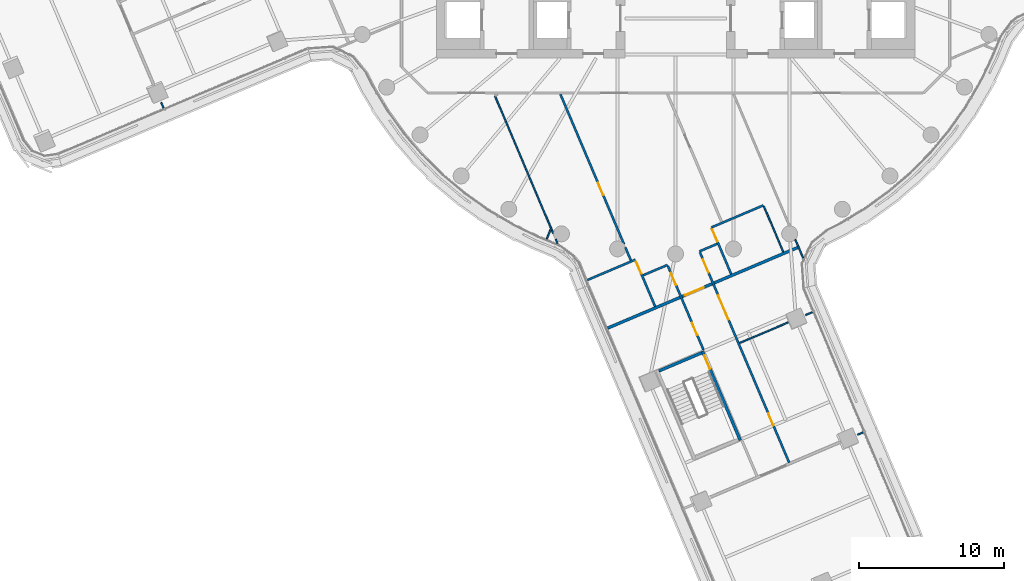
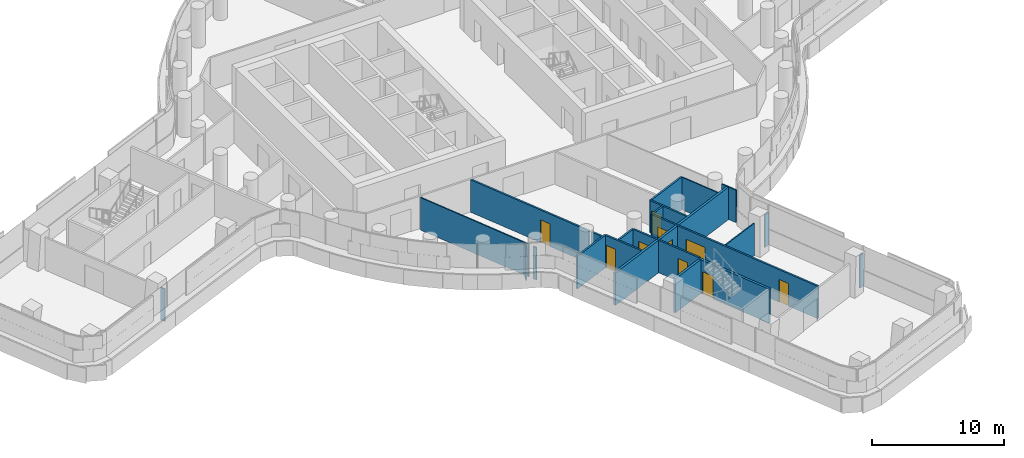
# One storey, part 21 of 35: 22 walls, 10 doors, 10 openings.
"""IFC4 building model written with IfcOpenShell, lengths in metres."""

from ifc_helpers import new_model, si_unit, direction, frame, frame_2d, origin, place, context, subcontext, project, spatial, rectangle, extrude, material, layer, layer_set, type_object, element, fill, save


model = new_model("IFC4")

# Units and contexts
model_context = context("Model", 3, precision=1e-05, world=origin(), true_north=direction((0.0, 1.0)))
body_context = subcontext(model_context, "Body", "Model", "MODEL_VIEW")
ifc_project = project(units=[si_unit("LENGTHUNIT", "METRE"), si_unit("AREAUNIT", "SQUARE_METRE"), si_unit("VOLUMEUNIT", "CUBIC_METRE"), si_unit("PLANEANGLEUNIT", "RADIAN"), si_unit("MASSUNIT", "GRAM", prefix="KILO")], contexts=[model_context])

# Site, building, storey
site_placement = place(None, origin())
site = spatial("IfcSite", under=ifc_project, at=site_placement, CompositionType="ELEMENT")
building_placement = place(site_placement, origin())
building = spatial("IfcBuilding", under=site, at=building_placement, Name="Tamarind Cross Interchange Tower", CompositionType="ELEMENT")
storey_placement = place(building_placement, frame((0.0, 0.0, 117.25)))
storey = spatial("IfcBuildingStorey", under=building, at=storey_placement, Name="L28", CompositionType="ELEMENT", Elevation=117.25)

# Walls
ifc_material_1 = material(Name="Gypsum board partition on steel studs", Category="steel")
ifc_layer_1 = layer(ifc_material_1, 0.10009765625)
ifc_layer_set_1 = layer_set([ifc_layer_1], Name="Gypsum board partition on steel studs")
wall_type_1 = type_object("IfcWallType", Name="Partition 100 mm EI 90", PredefinedType="PARTITIONING", material=ifc_layer_set_1)
wall_1_placement = place(storey_placement, frame((-35.465087890625, -12.55859375, 0.0), z_axis=(0.0, 0.0, 1.0), x_axis=(0.390243347733, -0.920711751609, 0.0)))
element("IfcWall", 1, at=wall_1_placement, inside=storey, type_object=wall_type_1, Name="Partition L28-003", PredefinedType="PARTITIONING", context=body_context, shape_type="SweptSolid", body=[
    extrude(rectangle(XDim=0.4091796875, YDim=0.10009765625, at=frame_2d((0.20458984375, 0.0))), origin(), (0.0, 0.0, 1.0), 3.010009765625),
])
wall_2_placement = place(storey_placement, frame((-12.444580078125, -12.125, 0.0), z_axis=(0.0, 0.0, 1.0), x_axis=(0.390522443432, -0.920593407089, 0.0)))
element("IfcWall", 2, at=wall_2_placement, inside=storey, type_object=wall_type_1, Name="Partition L28-005", PredefinedType="PARTITIONING", context=body_context, shape_type="SweptSolid", body=[
    extrude(rectangle(XDim=10.2958984375, YDim=0.10009765625, at=frame_2d((5.14794921875, 0.0))), origin(), (0.0, 0.0, 1.0), 3.010009765625),
])
wall_3_placement = place(storey_placement, frame((-8.263671875, -21.980712890625, 0.0), z_axis=(0.0, 0.0, 1.0), x_axis=(0.390412497886, -0.920640039046, 0.0)))
element("IfcWall", 3, at=wall_3_placement, inside=storey, type_object=wall_type_1, Name="Partition L28-006", PredefinedType="PARTITIONING", context=body_context, shape_type="SweptSolid", body=[
    extrude(rectangle(XDim=0.319580078125, YDim=0.10009765625, at=frame_2d((0.15966796875, 0.0))), origin(), (0.0, 0.0, 1.0), 3.010009765625),
])
wall_4_placement = place(storey_placement, frame((8.251953125, -21.992431640625, 0.0), z_axis=(0.0, 0.0, 1.0), x_axis=(0.390522765708, -0.920593270377, 0.0)))
element("IfcWall", 4, at=wall_4_placement, inside=storey, type_object=wall_type_1, Name="Partition L28-025", PredefinedType="PARTITIONING", context=body_context, shape_type="SweptSolid", body=[
    extrude(rectangle(XDim=1.38916015625, YDim=0.10009765625, at=frame_2d((0.694580078125, 0.0))), origin(), (0.0, 0.0, 1.0), 3.010009765625),
])
wall_5_placement = place(storey_placement, frame((6.09130859375, -19.715087890625, 0.0), z_axis=(0.0, 0.0, 1.0), x_axis=(0.390573680368, -0.920571670324, 0.0)))
element("IfcWall", 5, at=wall_5_placement, inside=storey, type_object=wall_type_1, Name="Partition L28-026", PredefinedType="PARTITIONING", context=body_context, shape_type="SweptSolid", body=[
    extrude(rectangle(XDim=3.419921875, YDim=0.10009765625, at=frame_2d((1.7099609375, 0.0))), origin(), (0.0, 0.0, 1.0), 3.010009765625),
])
wall_6_placement = place(storey_placement, frame((12.55859375, -35.465087890625, 0.0), z_axis=(0.0, 0.0, 1.0), x_axis=(0.920711751609, 0.390243347733, 0.0)))
element("IfcWall", 6, at=wall_6_placement, inside=storey, type_object=wall_type_1, Name="Partition L28-068", PredefinedType="PARTITIONING", context=body_context, shape_type="SweptSolid", body=[
    extrude(rectangle(XDim=0.4091796875, YDim=0.10009765625, at=frame_2d((0.20458984375, 0.0))), origin(), (0.0, 0.0, 1.0), 3.010009765625),
])
wall_7_placement = place(storey_placement, frame((4.419677734375, -29.140869140625, 0.0), z_axis=(0.0, 0.0, 1.0), x_axis=(0.920601541883, 0.390503266416, 0.0)))
element("IfcWall", 7, at=wall_7_placement, inside=storey, type_object=wall_type_1, Name="Partition L28-069", PredefinedType="PARTITIONING", context=body_context, shape_type="SweptSolid", body=[
    extrude(rectangle(XDim=3.63427734375, YDim=0.10009765625, at=frame_2d((1.817138671875, 0.0))), origin(), (0.0, 0.0, 1.0), 3.010009765625),
])
wall_8_placement = place(storey_placement, frame((8.96875, -27.211181640625, 0.0), z_axis=(0.0, 0.0, 1.0), x_axis=(0.920660619586, 0.390363962917, 0.0)))
element("IfcWall", 8, at=wall_8_placement, inside=storey, type_object=wall_type_1, Name="Partition L28-070", PredefinedType="PARTITIONING", context=body_context, shape_type="SweptSolid", body=[
    extrude(rectangle(XDim=0.505859375, YDim=0.10009765625, at=frame_2d((0.2529296875, 0.0))), origin(), (0.0, 0.0, 1.0), 3.010009765625),
])
wall_9_placement = place(storey_placement, frame((-8.881591796875, -21.9658203125, 0.0), z_axis=(0.0, 0.0, 1.0), x_axis=(0.375077906677, 0.926993292275, 0.0)))
element("IfcWall", 9, at=wall_9_placement, inside=storey, type_object=wall_type_1, Name="Partition L28-085", PredefinedType="PARTITIONING", context=body_context, shape_type="SweptSolid", body=[
    extrude(rectangle(XDim=0.69580078125, YDim=0.10009765625, at=frame_2d((0.347900390625, 0.0))), origin(), (0.0, 0.0, 1.0), 3.010009765625),
])

# Wall, opening, door
ifc_layer_2 = layer(ifc_material_1, 0.14990234375)
ifc_layer_set_2 = layer_set([ifc_layer_2], Name="Gypsum board partition on steel studs")
wall_type_2 = type_object("IfcWallType", Name="Partition 150 mm EI 120", PredefinedType="PARTITIONING", material=ifc_layer_set_2)
wall_10_placement = place(storey_placement, frame((-7.93994140625, -11.987548828125, 0.0), z_axis=(0.0, 0.0, 1.0), x_axis=(0.390462727609, -0.920618736692, 0.0)))
wall_10 = element("IfcWall", 10, at=wall_10_placement, inside=storey, type_object=wall_type_2, Name="Partition L28-010", PredefinedType="PARTITIONING", context=body_context, shape_type="SweptSolid", body=[
    extrude(rectangle(XDim=11.22705078125, YDim=0.14990234375, at=frame_2d((5.613525390625, 0.0))), origin(), (0.0, 0.0, 1.0), 3.010009765625),
])
opening_1_placement = place(wall_10_placement, frame((6.655029296875, 0.0, 0.0)))
opening_1 = element("IfcOpeningElement", 11, at=opening_1_placement, cuts=wall_10, Name="Opening D07", PredefinedType="OPENING", context=body_context, shape_type="SweptSolid", body=[
    extrude(rectangle(XDim=0.89990234375, YDim=2.10009765625, at=frame_2d((0.449951171875, 1.050048828125))), frame((0.0, 0.0849609375, 0.0), z_axis=(0.0, -1.0, 0.0), x_axis=(1.0, 0.0, 0.0)), (0.0, 0.0, 1.0), 0.169921875),
])
ifc_material_2 = material(Name="Fire-resisting door set")
door_type_1 = type_object("IfcDoorType", Name="Interior door 900 x 2100 FD60S", OperationType="SINGLE_SWING_LEFT", PredefinedType="DOOR", material=ifc_material_2)
door_1_placement = place(opening_1_placement, frame((0.89990234375, 0.0, 0.0), z_axis=(0.0, 0.0, 1.0), x_axis=(-1.0, 0.0, 0.0)))
door_1 = element("IfcDoor", 12, at=door_1_placement, inside=storey, type_object=door_type_1, Name="Door D07", OperationType="SINGLE_SWING_RIGHT", OverallHeight=2.10009765625, OverallWidth=0.89990234375, PredefinedType="DOOR", context=body_context, shape_type="SweptSolid", body=[
    extrude(rectangle(XDim=0.89990234375, YDim=2.10009765625, at=frame_2d((0.449951171875, 1.050048828125))), frame((0.0, 0.02490234375, 0.0), z_axis=(0.0, -1.0, 0.0), x_axis=(1.0, 0.0, 0.0)), (0.0, 0.0, 1.0), 0.050048828125),
])
fill(opening_1, door_1)

# Wall
wall_11_placement = place(storey_placement, frame((-3.46240234375, -22.544677734375, 0.0), z_axis=(0.0, 0.0, 1.0), x_axis=(0.390504875404, -0.920600859377, 0.0)))
element("IfcWall", 13, at=wall_11_placement, inside=storey, type_object=wall_type_2, Name="Partition L28-011", PredefinedType="PARTITIONING", context=body_context, shape_type="SweptSolid", body=[
    extrude(rectangle(XDim=0.975830078125, YDim=0.14990234375, at=frame_2d((0.48779296875, 0.0))), origin(), (0.0, 0.0, 1.0), 3.010009765625),
])

# Wall, opening, door
wall_12_placement = place(storey_placement, frame((-2.74658203125, -23.464111328125, 0.0), z_axis=(0.0, 0.0, 1.0), x_axis=(0.390509570778, -0.920598867657, 0.0)))
wall_12 = element("IfcWall", 14, at=wall_12_placement, inside=storey, type_object=wall_type_2, Name="Partition L28-016", PredefinedType="PARTITIONING", context=body_context, shape_type="SweptSolid", body=[
    extrude(rectangle(XDim=3.4248046875, YDim=0.14990234375, at=frame_2d((1.71240234375, 0.0))), origin(), (0.0, 0.0, 1.0), 3.010009765625),
])
opening_2_placement = place(wall_12_placement, frame((0.074951171875, 0.0, 0.0)))
opening_2 = element("IfcOpeningElement", 15, at=opening_2_placement, cuts=wall_12, Name="Opening D11", PredefinedType="OPENING", context=body_context, shape_type="SweptSolid", body=[
    extrude(rectangle(XDim=0.89990234375, YDim=2.10009765625, at=frame_2d((0.449951171875, 1.050048828125))), frame((0.0, 0.0849609375, 0.0), z_axis=(0.0, -1.0, 0.0), x_axis=(1.0, 0.0, 0.0)), (0.0, 0.0, 1.0), 0.169921875),
])
door_2_placement = place(opening_2_placement, frame((0.89990234375, 0.0, 0.0), z_axis=(0.0, 0.0, 1.0), x_axis=(-1.0, 0.0, 0.0)))
door_2 = element("IfcDoor", 16, at=door_2_placement, inside=storey, type_object=door_type_1, Name="Door D11", OperationType="SINGLE_SWING_LEFT", OverallHeight=2.10009765625, OverallWidth=0.89990234375, PredefinedType="DOOR", context=body_context, shape_type="SweptSolid", body=[
    extrude(rectangle(XDim=0.89990234375, YDim=2.10009765625, at=frame_2d((0.449951171875, 1.050048828125))), frame((0.0, 0.02490234375, 0.0), z_axis=(0.0, -1.0, 0.0), x_axis=(1.0, 0.0, 0.0)), (0.0, 0.0, 1.0), 0.050048828125),
])
fill(opening_2, door_2)

# Wall, openings, doors
wall_13_placement = place(storey_placement, frame((-0.52880859375, -23.826171875, 0.0), z_axis=(0.0, 0.0, 1.0), x_axis=(0.390377283155, -0.920654971635, 0.0)))
wall_13 = element("IfcWall", 17, at=wall_13_placement, inside=storey, type_object=wall_type_2, Name="Partition L28-018", PredefinedType="PARTITIONING", context=body_context, shape_type="SweptSolid", body=[
    extrude(rectangle(XDim=6.285888671875, YDim=0.14990234375, at=frame_2d((3.14306640625, 0.0))), origin(), (0.0, 0.0, 1.0), 3.010009765625),
])
opening_3_placement = place(wall_13_placement, frame((0.52490234375, 0.0, 0.0)))
opening_3 = element("IfcOpeningElement", 18, at=opening_3_placement, cuts=wall_13, Name="Opening D13", PredefinedType="OPENING", context=body_context, shape_type="SweptSolid", body=[
    extrude(rectangle(XDim=0.89990234375, YDim=2.10009765625, at=frame_2d((0.449951171875, 1.050048828125))), frame((0.0, 0.0849609375, 0.0), z_axis=(0.0, -1.0, 0.0), x_axis=(1.0, 0.0, 0.0)), (0.0, 0.0, 1.0), 0.169921875),
])
opening_4_placement = place(wall_13_placement, frame((4.275390625, 0.0, 0.0)))
opening_4 = element("IfcOpeningElement", 19, at=opening_4_placement, cuts=wall_13, Name="Opening D14", PredefinedType="OPENING", context=body_context, shape_type="SweptSolid", body=[
    extrude(rectangle(XDim=0.89990234375, YDim=2.10009765625, at=frame_2d((0.449951171875, 1.050048828125))), frame((0.0, 0.0849609375, 0.0), z_axis=(0.0, -1.0, 0.0), x_axis=(1.0, 0.0, 0.0)), (0.0, 0.0, 1.0), 0.169921875),
])
door_3_placement = place(opening_3_placement, frame((0.89990234375, 0.0, 0.0), z_axis=(0.0, 0.0, 1.0), x_axis=(-1.0, 0.0, 0.0)))
door_3 = element("IfcDoor", 20, at=door_3_placement, inside=storey, type_object=door_type_1, Name="Door D13", OperationType="SINGLE_SWING_LEFT", OverallHeight=2.10009765625, OverallWidth=0.89990234375, PredefinedType="DOOR", context=body_context, shape_type="SweptSolid", body=[
    extrude(rectangle(XDim=0.89990234375, YDim=2.10009765625, at=frame_2d((0.449951171875, 1.050048828125))), frame((0.0, 0.02490234375, 0.0), z_axis=(0.0, -1.0, 0.0), x_axis=(1.0, 0.0, 0.0)), (0.0, 0.0, 1.0), 0.050048828125),
])
fill(opening_3, door_3)
door_4_placement = place(opening_4_placement, frame((0.89990234375, 0.0, 0.0), z_axis=(0.0, 0.0, 1.0), x_axis=(-1.0, 0.0, 0.0)))
door_4 = element("IfcDoor", 21, at=door_4_placement, inside=storey, type_object=door_type_1, Name="Door D14", OperationType="SINGLE_SWING_RIGHT", OverallHeight=2.10009765625, OverallWidth=0.89990234375, PredefinedType="DOOR", context=body_context, shape_type="SweptSolid", body=[
    extrude(rectangle(XDim=0.89990234375, YDim=2.10009765625, at=frame_2d((0.449951171875, 1.050048828125))), frame((0.0, 0.02490234375, 0.0), z_axis=(0.0, -1.0, 0.0), x_axis=(1.0, 0.0, 0.0)), (0.0, 0.0, 1.0), 0.050048828125),
])
fill(opening_4, door_4)

wall_14_placement = place(storey_placement, frame((1.680419921875, -22.888916015625, 0.0), z_axis=(0.0, 0.0, 1.0), x_axis=(0.390687971065, -0.920523171498, 0.0)))
wall_14 = element("IfcWall", 22, at=wall_14_placement, inside=storey, type_object=wall_type_2, Name="Partition L28-022", PredefinedType="PARTITIONING", context=body_context, shape_type="SweptSolid", body=[
    extrude(rectangle(XDim=15.75048828125, YDim=0.14990234375, at=frame_2d((7.875244140625, 0.0))), origin(), (0.0, 0.0, 1.0), 3.010009765625),
])
opening_5_placement = place(wall_14_placement, frame((0.52490234375, 0.0, 0.0)))
opening_5 = element("IfcOpeningElement", 23, at=opening_5_placement, cuts=wall_14, Name="Opening D16", PredefinedType="OPENING", context=body_context, shape_type="SweptSolid", body=[
    extrude(rectangle(XDim=1.0, YDim=2.10009765625, at=frame_2d((0.5, 1.050048828125))), frame((0.0, 0.0849609375, 0.0), z_axis=(0.0, -1.0, 0.0), x_axis=(1.0, 0.0, 0.0)), (0.0, 0.0, 1.0), 0.169921875),
])
opening_6_placement = place(wall_14_placement, frame((12.0751953125, 0.0, 0.0)))
opening_6 = element("IfcOpeningElement", 24, at=opening_6_placement, cuts=wall_14, Name="Opening D17", PredefinedType="OPENING", context=body_context, shape_type="SweptSolid", body=[
    extrude(rectangle(XDim=0.89990234375, YDim=2.10009765625, at=frame_2d((0.449951171875, 1.050048828125))), frame((0.0, 0.0849609375, 0.0), z_axis=(0.0, -1.0, 0.0), x_axis=(1.0, 0.0, 0.0)), (0.0, 0.0, 1.0), 0.169921875),
])
opening_7_placement = place(wall_14_placement, frame((3.225830078125, 0.0, 0.0)))
opening_7 = element("IfcOpeningElement", 25, at=opening_7_placement, cuts=wall_14, Name="Opening D18", PredefinedType="OPENING", context=body_context, shape_type="SweptSolid", body=[
    extrude(rectangle(XDim=1.800048828125, YDim=2.10009765625, at=frame_2d((0.89990234375, 1.050048828125))), frame((0.0, 0.0849609375, 0.0), z_axis=(0.0, -1.0, 0.0), x_axis=(1.0, 0.0, 0.0)), (0.0, 0.0, 1.0), 0.169921875),
])
door_type_2 = type_object("IfcDoorType", Name="Interior door 1000 x 2100 FD60S", OperationType="SINGLE_SWING_LEFT", PredefinedType="DOOR", material=ifc_material_2)
door_5_placement = place(opening_5_placement, origin())
door_5 = element("IfcDoor", 26, at=door_5_placement, inside=storey, type_object=door_type_2, Name="Door D16", OperationType="SINGLE_SWING_RIGHT", OverallHeight=2.10009765625, OverallWidth=1.0, PredefinedType="DOOR", context=body_context, shape_type="SweptSolid", body=[
    extrude(rectangle(XDim=1.0, YDim=2.10009765625, at=frame_2d((0.5, 1.050048828125))), frame((0.0, 0.02490234375, 0.0), z_axis=(0.0, -1.0, 0.0), x_axis=(1.0, 0.0, 0.0)), (0.0, 0.0, 1.0), 0.050048828125),
])
fill(opening_5, door_5)
door_type_3 = type_object("IfcDoorType", Name="Interior door 1800 x 2100 FD60S", OperationType="DOUBLE_DOOR_SINGLE_SWING", PredefinedType="DOOR", material=ifc_material_2)
door_6_placement = place(opening_7_placement, origin())
door_6 = element("IfcDoor", 27, at=door_6_placement, inside=storey, type_object=door_type_3, Name="Door D18", OperationType="DOUBLE_DOOR_SINGLE_SWING", OverallHeight=2.10009765625, OverallWidth=1.800048828125, PredefinedType="DOOR", context=body_context, shape_type="SweptSolid", body=[
    extrude(rectangle(XDim=1.800048828125, YDim=2.10009765625, at=frame_2d((0.89990234375, 1.050048828125))), frame((0.0, 0.02490234375, 0.0), z_axis=(0.0, -1.0, 0.0), x_axis=(1.0, 0.0, 0.0)), (0.0, 0.0, 1.0), 0.050048828125),
])
fill(opening_7, door_6)
door_7_placement = place(opening_6_placement, origin())
door_7 = element("IfcDoor", 28, at=door_7_placement, inside=storey, type_object=door_type_1, Name="Door D17", OperationType="SINGLE_SWING_LEFT", OverallHeight=2.10009765625, OverallWidth=0.89990234375, PredefinedType="DOOR", context=body_context, shape_type="SweptSolid", body=[
    extrude(rectangle(XDim=0.89990234375, YDim=2.10009765625, at=frame_2d((0.449951171875, 1.050048828125))), frame((0.0, 0.02490234375, 0.0), z_axis=(0.0, -1.0, 0.0), x_axis=(1.0, 0.0, 0.0)), (0.0, 0.0, 1.0), 0.050048828125),
])
fill(opening_6, door_7)

# Wall, opening, door
wall_15_placement = place(storey_placement, frame((2.479736328125, -21.1875, 0.0), z_axis=(0.0, 0.0, 1.0), x_axis=(0.390054258105, -0.920791874277, 0.0)))
wall_15 = element("IfcWall", 29, at=wall_15_placement, inside=storey, type_object=wall_type_2, Name="Partition L28-023", PredefinedType="PARTITIONING", context=body_context, shape_type="SweptSolid", body=[
    extrude(rectangle(XDim=3.4794921875, YDim=0.14990234375, at=frame_2d((1.73974609375, 0.0))), origin(), (0.0, 0.0, 1.0), 3.010009765625),
])
opening_8_placement = place(wall_15_placement, frame((0.1298828125, 0.0, 0.0)))
opening_8 = element("IfcOpeningElement", 30, at=opening_8_placement, cuts=wall_15, Name="Opening D19", PredefinedType="OPENING", context=body_context, shape_type="SweptSolid", body=[
    extrude(rectangle(XDim=0.89990234375, YDim=2.10009765625, at=frame_2d((0.449951171875, 1.050048828125))), frame((0.0, 0.0849609375, 0.0), z_axis=(0.0, -1.0, 0.0), x_axis=(1.0, 0.0, 0.0)), (0.0, 0.0, 1.0), 0.169921875),
])
door_8_placement = place(opening_8_placement, origin())
door_8 = element("IfcDoor", 31, at=door_8_placement, inside=storey, type_object=door_type_1, Name="Door D19", OperationType="SINGLE_SWING_RIGHT", OverallHeight=2.10009765625, OverallWidth=0.89990234375, PredefinedType="DOOR", context=body_context, shape_type="SweptSolid", body=[
    extrude(rectangle(XDim=0.89990234375, YDim=2.10009765625, at=frame_2d((0.449951171875, 1.050048828125))), frame((0.0, 0.02490234375, 0.0), z_axis=(0.0, -1.0, 0.0), x_axis=(1.0, 0.0, 0.0)), (0.0, 0.0, 1.0), 0.050048828125),
])
fill(opening_8, door_8)

# Walls
wall_16_placement = place(storey_placement, frame((-6.080078125, -24.796630859375, 0.0), z_axis=(0.0, 0.0, 1.0), x_axis=(0.920598825998, 0.390509668986, 0.0)))
element("IfcWall", 32, at=wall_16_placement, inside=storey, type_object=wall_type_2, Name="Partition L28-061", PredefinedType="PARTITIONING", context=body_context, shape_type="SweptSolid", body=[
    extrude(rectangle(XDim=3.589111328125, YDim=0.14990234375, at=frame_2d((1.79443359375, 0.0))), origin(), (0.0, 0.0, 1.0), 3.010009765625),
])
wall_17_placement = place(storey_placement, frame((2.471923828125, -21.168701171875, 0.0), z_axis=(0.0, 0.0, 1.0), x_axis=(0.920615200633, 0.390471064695, 0.0)))
element("IfcWall", 33, at=wall_17_placement, inside=storey, type_object=wall_type_2, Name="Partition L28-062", PredefinedType="PARTITIONING", context=body_context, shape_type="SweptSolid", body=[
    extrude(rectangle(XDim=3.899658203125, YDim=0.14990234375, at=frame_2d((1.94970703125, 0.0))), origin(), (0.0, 0.0, 1.0), 3.010009765625),
])
wall_18_placement = place(storey_placement, frame((-2.238037109375, -24.4697265625, 0.0), z_axis=(0.0, 0.0, 1.0), x_axis=(0.920591984812, 0.390525796202, 0.0)))
element("IfcWall", 34, at=wall_18_placement, inside=storey, type_object=wall_type_2, Name="Partition L28-064", PredefinedType="PARTITIONING", context=body_context, shape_type="SweptSolid", body=[
    extrude(rectangle(XDim=1.824951171875, YDim=0.14990234375, at=frame_2d((0.91259765625, 0.0))), origin(), (0.0, 0.0, 1.0), 3.010009765625),
])
wall_19_placement = place(storey_placement, frame((1.65087890625, -22.81982421875, 0.0), z_axis=(0.0, 0.0, 1.0), x_axis=(0.920615907856, 0.390469397267, 0.0)))
element("IfcWall", 35, at=wall_19_placement, inside=storey, type_object=wall_type_2, Name="Partition L28-065", PredefinedType="PARTITIONING", context=body_context, shape_type="SweptSolid", body=[
    extrude(rectangle(XDim=1.324951171875, YDim=0.14990234375, at=frame_2d((0.66259765625, 0.0))), origin(), (0.0, 0.0, 1.0), 3.010009765625),
])

# Wall, opening, door
ifc_layer_3 = layer(ifc_material_1, 0.199951171875)
ifc_layer_set_3 = layer_set([ifc_layer_3], Name="Gypsum board partition on steel studs")
wall_type_3 = type_object("IfcWallType", Name="Partition 200 mm EI 180", PredefinedType="PARTITIONING", material=ifc_layer_set_3)
wall_20_placement = place(storey_placement, frame((-4.68310546875, -28.114501953125, 0.0), z_axis=(0.0, 0.0, 1.0), x_axis=(0.920579915117, 0.390554247044, 0.0)))
wall_20 = element("IfcWall", 36, at=wall_20_placement, inside=storey, type_object=wall_type_3, Name="Partition L28-063", PredefinedType="PARTITIONING", context=body_context, shape_type="SweptSolid", body=[
    extrude(rectangle(XDim=14.248779296875, YDim=0.199951171875, at=frame_2d((7.12451171875, 0.0))), origin(), (0.0, 0.0, 1.0), 3.010009765625),
])
opening_9_placement = place(wall_20_placement, frame((5.798828125, 0.0, 0.0)))
opening_9 = element("IfcOpeningElement", 37, at=opening_9_placement, cuts=wall_20, Name="Opening D34", PredefinedType="OPENING", context=body_context, shape_type="SweptSolid", body=[
    extrude(rectangle(XDim=1.39990234375, YDim=2.10009765625, at=frame_2d((0.699951171875, 1.050048828125))), frame((0.0, 0.10986328125, 0.0), z_axis=(0.0, -1.0, 0.0), x_axis=(1.0, 0.0, 0.0)), (0.0, 0.0, 1.0), 0.219970703125),
])
door_type_4 = type_object("IfcDoorType", Name="Interior door 1400 x 2100 FD120S", OperationType="DOUBLE_DOOR_SINGLE_SWING", PredefinedType="DOOR", material=ifc_material_2)
door_9_placement = place(opening_9_placement, origin())
door_9 = element("IfcDoor", 38, at=door_9_placement, inside=storey, type_object=door_type_4, Name="Door D34", OperationType="DOUBLE_DOOR_SINGLE_SWING", OverallHeight=2.10009765625, OverallWidth=1.39990234375, PredefinedType="DOOR", context=body_context, shape_type="SweptSolid", body=[
    extrude(rectangle(XDim=1.39990234375, YDim=2.10009765625, at=frame_2d((0.699951171875, 1.050048828125))), frame((0.0, 0.02490234375, 0.0), z_axis=(0.0, -1.0, 0.0), x_axis=(1.0, 0.0, 0.0)), (0.0, 0.0, 1.0), 0.050048828125),
])
fill(opening_9, door_9)

ifc_material_3 = material(Name="Concrete C40", Category="concrete")
ifc_layer_4 = layer(ifc_material_3, 0.199951171875)
ifc_layer_set_4 = layer_set([ifc_layer_4], Name="Concrete C40")
wall_type_4 = type_object("IfcWallType", Name="Stair shaft wall 200 mm Concrete C40", PredefinedType="SHEAR", material=ifc_layer_set_4)
wall_21_placement = place(storey_placement, frame((1.84912109375, -29.6884765625, -0.139892578125), z_axis=(0.0, 0.0, 1.0), x_axis=(0.390517094017, -0.920595676332, 0.0)))
wall_21 = element("IfcWall", 39, at=wall_21_placement, inside=storey, type_object=wall_type_4, Name="Core wall CWL-L28-ST6-H", PredefinedType="SHEAR", context=body_context, shape_type="SweptSolid", body=[
    extrude(rectangle(XDim=6.699951171875, YDim=0.199951171875, at=frame_2d((3.35009765625, 0.0))), origin(), (0.0, 0.0, 1.0), 3.14990234375),
])
opening_10_placement = place(wall_21_placement, frame((0.35009765625, 0.0, 0.0)))
opening_10 = element("IfcOpeningElement", 40, at=opening_10_placement, cuts=wall_21, Name="Opening ST6L28", PredefinedType="OPENING", context=body_context, shape_type="SweptSolid", body=[
    extrude(rectangle(XDim=1.0, YDim=2.10009765625, at=frame_2d((0.5, 1.050048828125))), frame((0.0, 0.10986328125, 0.0), z_axis=(0.0, -1.0, 0.0), x_axis=(1.0, 0.0, 0.0)), (0.0, 0.0, 1.0), 0.219970703125),
])
ifc_material_4 = material(Name="Steel, fire-resisting", Category="steel")
door_type_5 = type_object("IfcDoorType", Name="Core fire door 1000 x 2100 FD90", OperationType="SINGLE_SWING_LEFT", PredefinedType="DOOR", material=ifc_material_4)
door_10_placement = place(opening_10_placement, origin())
door_10 = element("IfcDoor", 41, at=door_10_placement, inside=storey, type_object=door_type_5, Name="L28 stair door ST6", OperationType="SINGLE_SWING_LEFT", OverallHeight=2.10009765625, OverallWidth=1.0, PredefinedType="DOOR", context=body_context, shape_type="SweptSolid", body=[
    extrude(rectangle(XDim=1.0, YDim=2.10009765625, at=frame_2d((0.5, 1.050048828125))), frame((0.0, 0.02490234375, 0.0), z_axis=(0.0, -1.0, 0.0), x_axis=(1.0, 0.0, 0.0)), (0.0, 0.0, 1.0), 0.050048828125),
])
fill(opening_10, door_10)

# Wall
wall_22_placement = place(storey_placement, frame((-1.14990234375, -31.069091796875, -0.139892578125), z_axis=(0.0, 0.0, 1.0), x_axis=(0.920618350613, 0.390463637891, 0.0)))
element("IfcWall", 42, at=wall_22_placement, inside=storey, type_object=wall_type_4, Name="Core wall CWL-L28-ST6-CE", PredefinedType="SHEAR", context=body_context, shape_type="SweptSolid", body=[
    extrude(rectangle(XDim=3.199951171875, YDim=0.199951171875, at=frame_2d((1.60009765625, 0.0))), origin(), (0.0, 0.0, 1.0), 3.14990234375),
])

save(model, "model.ifc")
